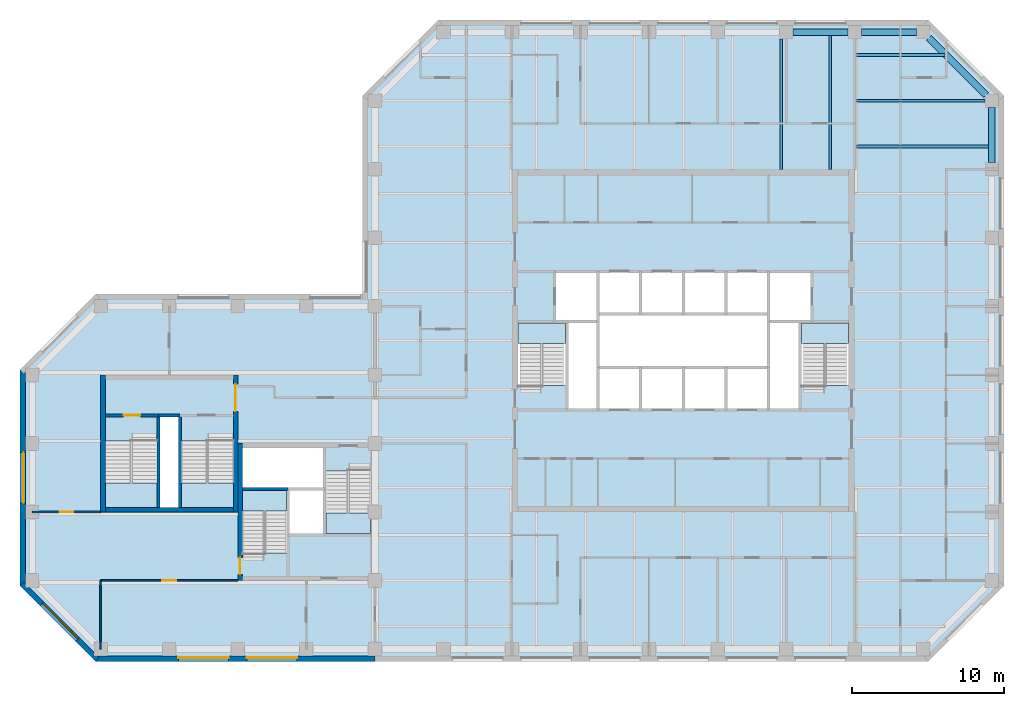
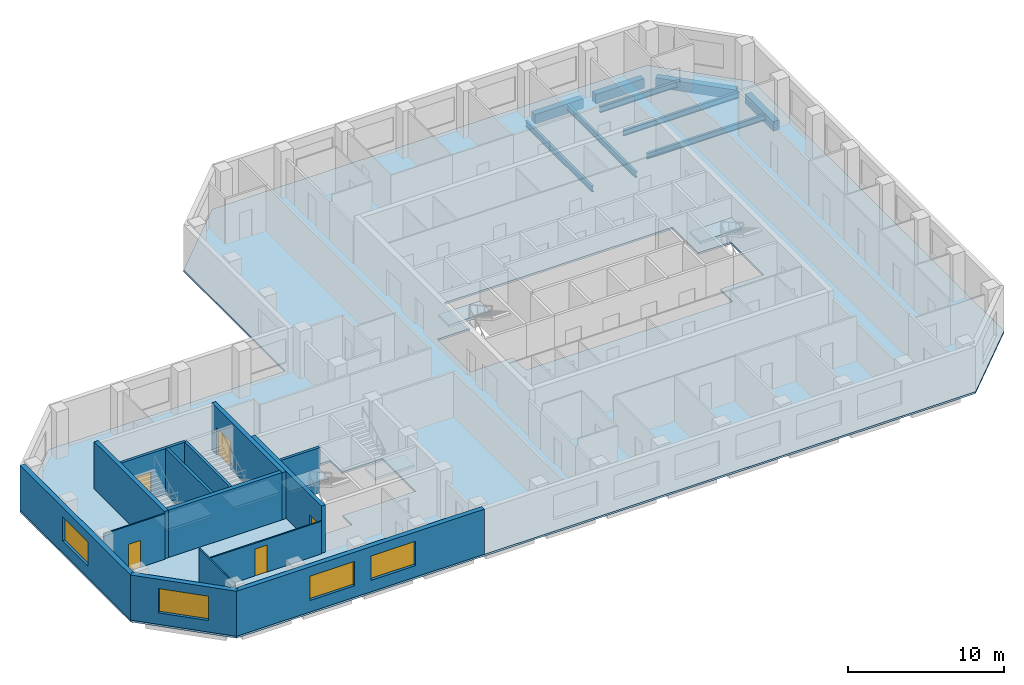
# One storey, part 2 of 9: 15 walls, 9 beams, 7 slabs, 5 doors, 4 windows, 9 openings, 6 elements without a shape of their own.
"""IFC4 building model written with IfcOpenShell, lengths in metres."""

from ifc_helpers import new_model, si_unit, direction, frame, frame_2d, origin, origin_2d, place, context, subcontext, project, spatial, polyline, rectangle, i_section, outline, extrude, material, layer, layer_set, constituent, constituent_set, material_profile, profile_set, type_object, element, fill, aggregate, save


model = new_model("IFC4")

# Units and contexts
model_context = context("Model", 3, precision=1e-05, world=origin(), true_north=direction((0.0, 1.0)))
body_context = subcontext(model_context, "Body", "Model", "MODEL_VIEW")
ifc_project = project(units=[si_unit("LENGTHUNIT", "METRE"), si_unit("AREAUNIT", "SQUARE_METRE"), si_unit("VOLUMEUNIT", "CUBIC_METRE"), si_unit("PLANEANGLEUNIT", "RADIAN"), si_unit("MASSUNIT", "GRAM", prefix="KILO")], contexts=[model_context])

# Site, building, storey
site_placement = place(None, origin())
site = spatial("IfcSite", under=ifc_project, at=site_placement, CompositionType="ELEMENT")
building_placement = place(site_placement, origin())
building = spatial("IfcBuilding", under=site, at=building_placement, Name="Quoin Convention Tower", CompositionType="ELEMENT")
storey_placement = place(building_placement, frame((0.0, 0.0, 147.699951171875)))
storey = spatial("IfcBuildingStorey", under=building, at=storey_placement, Name="L38", CompositionType="ELEMENT", Elevation=147.699951171875)

# Beams
ifc_material_1 = material(Name="Steel Grade 300", Category="steel")
ifc_material_profile_1 = material_profile(ifc_material_1, i_section(OverallWidth=0.18994140625, OverallDepth=0.4541015625, WebThickness=0.008544921875, FlangeThickness=0.0126953125, FilletRadius=0.011474609375, at=origin_2d()), Name="460UB67.1")
ifc_profile_set_1 = profile_set([ifc_material_profile_1], Name="Steel Grade 300")
beam_type_1 = type_object("IfcBeamType", Name="460UB67.1", PredefinedType="BEAM", material=ifc_profile_set_1)
beam_1_placement = place(storey_placement, frame((62.6787109375, 72.0, -0.376953125), z_axis=(0.0, 1.0, 0.0), x_axis=(-1.0, 0.0, 0.0)))
element("IfcBeam", 1, at=beam_1_placement, inside=storey, type_object=beam_type_1, Name="bm-L38-T1N5", PredefinedType="BEAM", context=body_context, shape_type="SweptSolid", body=[
    extrude(i_section(OverallWidth=0.18994140625, OverallDepth=0.4541015625, WebThickness=0.008544921875, FlangeThickness=0.0126953125, FilletRadius=0.011474609375, at=origin_2d()), origin(), (0.0, 0.0, 1.0), 8.550048828125),
])
beam_2_placement = place(storey_placement, frame((65.892822265625, 72.0, -0.376953125), z_axis=(0.0, 1.0, 0.0), x_axis=(-1.0, 0.0, 0.0)))
element("IfcBeam", 2, at=beam_2_placement, inside=storey, type_object=beam_type_1, Name="bm-L38-T1N6", PredefinedType="BEAM", context=body_context, shape_type="SweptSolid", body=[
    extrude(i_section(OverallWidth=0.18994140625, OverallDepth=0.4541015625, WebThickness=0.008544921875, FlangeThickness=0.0126953125, FilletRadius=0.011474609375, at=origin_2d()), origin(), (0.0, 0.0, 1.0), 8.77490234375),
])
beam_3_placement = place(storey_placement, frame((67.5, 79.5, -0.376953125), z_axis=(1.0, 0.0, 0.0), x_axis=(0.0, 1.0, 0.0)))
element("IfcBeam", 3, at=beam_3_placement, inside=storey, type_object=beam_type_1, Name="bm-L38-T1NE0", PredefinedType="BEAM", context=body_context, shape_type="SweptSolid", body=[
    extrude(i_section(OverallWidth=0.18994140625, OverallDepth=0.4541015625, WebThickness=0.008544921875, FlangeThickness=0.0126953125, FilletRadius=0.011474609375, at=origin_2d()), origin(), (0.0, 0.0, 1.0), 5.935791015625),
])
beam_4_placement = place(storey_placement, frame((67.5, 76.5, -0.376953125), z_axis=(1.0, 0.0, 0.0), x_axis=(0.0, 1.0, 0.0)))
element("IfcBeam", 4, at=beam_4_placement, inside=storey, type_object=beam_type_1, Name="bm-L38-T1NE1", PredefinedType="BEAM", context=body_context, shape_type="SweptSolid", body=[
    extrude(i_section(OverallWidth=0.18994140625, OverallDepth=0.4541015625, WebThickness=0.008544921875, FlangeThickness=0.0126953125, FilletRadius=0.011474609375, at=origin_2d()), origin(), (0.0, 0.0, 1.0), 8.550048828125),
])
beam_5_placement = place(storey_placement, frame((67.5, 73.5, -0.376953125), z_axis=(1.0, 0.0, 0.0), x_axis=(0.0, 1.0, 0.0)))
element("IfcBeam", 5, at=beam_5_placement, inside=storey, type_object=beam_type_1, Name="bm-L38-T1NE2", PredefinedType="BEAM", context=body_context, shape_type="SweptSolid", body=[
    extrude(i_section(OverallWidth=0.18994140625, OverallDepth=0.4541015625, WebThickness=0.008544921875, FlangeThickness=0.0126953125, FilletRadius=0.011474609375, at=origin_2d()), origin(), (0.0, 0.0, 1.0), 8.77490234375),
])
ifc_material_2 = material(Name="Concrete C50", Category="concrete")
ifc_material_profile_2 = material_profile(ifc_material_2, rectangle(XDim=0.449951171875, YDim=0.75, at=origin_2d()), Name="RC 450x750")
ifc_profile_set_2 = profile_set([ifc_material_profile_2], Name="Concrete C50")
beam_type_2 = type_object("IfcBeamType", Name="RC 450x750 C50", PredefinedType="SPANDREL", material=ifc_profile_set_2)
beam_6_placement = place(storey_placement, frame((76.5, 72.449951171875, -0.52490234375), z_axis=(0.0, 1.0, 0.0), x_axis=(-1.0, 0.0, 0.0)))
element("IfcBeam", 6, at=beam_6_placement, inside=storey, type_object=beam_type_2, Name="spd-L38-76500_72000-76500_76500", PredefinedType="SPANDREL", context=body_context, shape_type="SweptSolid", body=[
    extrude(rectangle(XDim=0.449951171875, YDim=0.75, at=origin_2d()), origin(), (0.0, 0.0, 1.0), 3.60009765625),
])
beam_7_placement = place(storey_placement, frame((76.135009765625, 76.864990234375, -0.52490234375), z_axis=(-0.707106781187, 0.707106781187, 0.0), x_axis=(-0.707106781187, -0.707106781187, 0.0)))
element("IfcBeam", 7, at=beam_7_placement, inside=storey, type_object=beam_type_2, Name="spd-L38-76500_76500-72000_81000", PredefinedType="SPANDREL", context=body_context, shape_type="SweptSolid", body=[
    extrude(rectangle(XDim=0.449951171875, YDim=0.75, at=origin_2d()), origin(), (0.0, 0.0, 1.0), 5.33154296875),
])
for number, where, z_axis, x_axis, name in (
    (8, (71.550048828125, 81.0, -0.52490234375), (-1.0, 0.0, 0.0), (0.0, -1.0, 0.0), "spd-L38-72000_81000-67500_81000"),
    (9, (67.050048828125, 81.0, -0.52490234375), (-1.0, 0.0, 0.0), (0.0, -1.0, 0.0), "spd-L38-67500_81000-63000_81000"),
):
    element("IfcBeam", number, at=place(storey_placement, frame(where, z_axis=z_axis, x_axis=x_axis)), inside=storey, type_object=beam_type_2, Name=name, PredefinedType="SPANDREL", context=body_context, shape_type="SweptSolid", body=[
        extrude(rectangle(XDim=0.449951171875, YDim=0.75, at=origin_2d()), origin(), (0.0, 0.0, 1.0), 3.60009765625),
    ])

# Slab
ifc_material_3 = material(Name="Concrete C40", Category="concrete")
ifc_layer_1 = layer(ifc_material_3, 0.14990234375)
ifc_layer_set_1 = layer_set([ifc_layer_1], Name="Concrete C40")
slab_type_1 = type_object("IfcSlabType", Name="COMPOSITE SLAB 150 C40", PredefinedType="FLOOR", material=ifc_layer_set_1)
slab_1_placement = place(storey_placement, frame((0.0, 0.0, -0.14990234375)))
element("IfcSlab", 10, at=slab_1_placement, inside=storey, type_object=slab_type_1, Name="slb-L38", PredefinedType="FLOOR", context=body_context, shape_type="SweptSolid", body=[
    extrude(outline(polyline([(17.668701171875, 39.699951171875), (12.699951171875, 44.668701171875), (12.699951171875, 58.831298828125), (17.668701171875, 63.800048828125), (35.199951171875, 63.800048828125), (35.199951171875, 76.831298828125), (40.168701171875, 81.800048828125), (72.331298828125, 81.800048828125), (77.300048828125, 76.831298828125), (77.300048828125, 44.668701171875), (72.331298828125, 39.699951171875), (17.668701171875, 39.699951171875)]), holes=[polyline([(27.300048828125, 51.0), (27.300048828125, 46.800537109375), (30.300048828125, 46.800537109375), (30.300048828125, 48.0), (32.699951171875, 48.0), (35.699951171875, 48.0), (35.699951171875, 52.199462890625), (32.699951171875, 52.199462890625), (32.699951171875, 53.699951171875), (27.300048828125, 53.699951171875), (27.300048828125, 51.0)]), polyline([(18.300048828125, 49.800048828125), (21.800048828125, 49.800048828125), (23.199951171875, 49.800048828125), (26.699951171875, 49.800048828125), (26.699951171875, 54.1494140625), (23.199951171875, 54.1494140625), (23.199951171875, 55.85009765625), (21.800048828125, 55.85009765625), (21.800048828125, 54.1494140625), (18.300048828125, 54.1494140625), (18.300048828125, 49.800048828125)]), polyline([(48.60009765625, 56.199951171875), (50.64990234375, 56.199951171875), (53.449951171875, 56.199951171875), (56.25, 56.199951171875), (59.050048828125, 56.199951171875), (61.85009765625, 56.199951171875), (63.89990234375, 56.199951171875), (63.89990234375, 57.800537109375), (67.10009765625, 57.800537109375), (67.10009765625, 62.0), (64.699951171875, 62.0), (64.699951171875, 65.300048828125), (61.85009765625, 65.300048828125), (59.050048828125, 65.300048828125), (56.25, 65.300048828125), (53.449951171875, 65.300048828125), (50.64990234375, 65.300048828125), (47.800048828125, 65.300048828125), (47.800048828125, 62.0), (45.39990234375, 62.0), (45.39990234375, 57.800537109375), (48.60009765625, 57.800537109375), (48.60009765625, 56.199951171875)])]), origin(), (0.0, 0.0, 1.0), 0.14990234375),
])

# Stair, slab
stair_type_1 = type_object("IfcStairType", Name="Exit stair two-flight 1350", PredefinedType="HALF_TURN_STAIR", material=ifc_material_3)
stair_1_placement = place(storey_placement, origin())
stair_1 = element("IfcStair", 11, at=stair_1_placement, inside=storey, type_object=stair_type_1, Name="SD1 L38", PredefinedType="HALF_TURN_STAIR")
ifc_layer_2 = layer(ifc_material_3, 0.199951171875)
ifc_layer_set_2 = layer_set([ifc_layer_2], Name="Concrete C40")
slab_type_2 = type_object("IfcSlabType", Name="Stair landing 200", PredefinedType="LANDING", material=ifc_layer_set_2)
slab_2_placement = place(storey_placement, frame((0.0, 0.0, 1.792236328125)))
slab_2 = element("IfcSlab", 12, at=slab_2_placement, type_object=slab_type_2, Name="ST1 landing 1", PredefinedType="LANDING", context=body_context, shape_type="SweptSolid", body=[
    extrude(outline(polyline([(45.39990234375, 60.550048828125), (48.5, 60.550048828125), (48.5, 61.89990234375), (45.39990234375, 61.89990234375), (45.39990234375, 60.550048828125)])), origin(), (0.0, 0.0, 1.0), 0.2001953125),
])
aggregate(stair_1, [slab_2])

stair_2_placement = place(storey_placement, origin())
stair_2 = element("IfcStair", 13, at=stair_2_placement, inside=storey, type_object=stair_type_1, Name="SD2 L38", PredefinedType="HALF_TURN_STAIR")
slab_3_placement = place(storey_placement, frame((0.0, 0.0, 1.792236328125)))
slab_3 = element("IfcSlab", 14, at=slab_3_placement, type_object=slab_type_2, Name="ST2 landing 1", PredefinedType="LANDING", context=body_context, shape_type="SweptSolid", body=[
    extrude(outline(polyline([(64.0, 60.550048828125), (67.10009765625, 60.550048828125), (67.10009765625, 61.89990234375), (64.0, 61.89990234375), (64.0, 60.550048828125)])), origin(), (0.0, 0.0, 1.0), 0.2001953125),
])
aggregate(stair_2, [slab_3])

stair_3_placement = place(storey_placement, origin())
stair_3 = element("IfcStair", 15, at=stair_3_placement, inside=storey, type_object=stair_type_1, Name="SD3 L38", PredefinedType="HALF_TURN_STAIR")
slab_4_placement = place(storey_placement, frame((0.0, 0.0, 1.792236328125)))
slab_4 = element("IfcSlab", 16, at=slab_4_placement, type_object=slab_type_2, Name="ST3 landing 1", PredefinedType="LANDING", context=body_context, shape_type="SweptSolid", body=[
    extrude(outline(polyline([(27.300048828125, 49.550048828125), (30.199951171875, 49.550048828125), (30.199951171875, 50.89990234375), (27.300048828125, 50.89990234375), (27.300048828125, 49.550048828125)])), origin(), (0.0, 0.0, 1.0), 0.2001953125),
])
aggregate(stair_3, [slab_4])

stair_4_placement = place(storey_placement, origin())
stair_4 = element("IfcStair", 17, at=stair_4_placement, inside=storey, type_object=stair_type_1, Name="SD4 L38", PredefinedType="HALF_TURN_STAIR")
slab_5_placement = place(storey_placement, frame((0.0, 0.0, 1.792236328125)))
slab_5 = element("IfcSlab", 18, at=slab_5_placement, type_object=slab_type_2, Name="ST4 landing 1", PredefinedType="LANDING", context=body_context, shape_type="SweptSolid", body=[
    extrude(outline(polyline([(35.699951171875, 49.449951171875), (32.800048828125, 49.449951171875), (32.800048828125, 48.10009765625), (35.699951171875, 48.10009765625), (35.699951171875, 49.449951171875)])), origin(), (0.0, 0.0, 1.0), 0.2001953125),
])
aggregate(stair_4, [slab_5])

stair_type_2 = type_object("IfcStairType", Name="Exit stair two-flight 1600", PredefinedType="HALF_TURN_STAIR", material=ifc_material_3)
stair_5_placement = place(storey_placement, origin())
stair_5 = element("IfcStair", 19, at=stair_5_placement, inside=storey, type_object=stair_type_2, Name="SD11 L38", PredefinedType="HALF_TURN_STAIR")
slab_6_placement = place(storey_placement, frame((0.0, 0.0, 1.792236328125)))
slab_6 = element("IfcSlab", 20, at=slab_6_placement, type_object=slab_type_2, Name="ST11 landing 1", PredefinedType="LANDING", context=body_context, shape_type="SweptSolid", body=[
    extrude(outline(polyline([(21.699951171875, 51.39990234375), (18.300048828125, 51.39990234375), (18.300048828125, 49.800048828125), (21.699951171875, 49.800048828125), (21.699951171875, 51.39990234375)])), origin(), (0.0, 0.0, 1.0), 0.2001953125),
])
aggregate(stair_5, [slab_6])

stair_6_placement = place(storey_placement, origin())
stair_6 = element("IfcStair", 21, at=stair_6_placement, inside=storey, type_object=stair_type_2, Name="SD12 L38", PredefinedType="HALF_TURN_STAIR")
slab_7_placement = place(storey_placement, frame((0.0, 0.0, 1.792236328125)))
slab_7 = element("IfcSlab", 22, at=slab_7_placement, type_object=slab_type_2, Name="ST12 landing 1", PredefinedType="LANDING", context=body_context, shape_type="SweptSolid", body=[
    extrude(outline(polyline([(26.699951171875, 51.39990234375), (23.300048828125, 51.39990234375), (23.300048828125, 49.800048828125), (26.699951171875, 49.800048828125), (26.699951171875, 51.39990234375)])), origin(), (0.0, 0.0, 1.0), 0.2001953125),
])
aggregate(stair_6, [slab_7])

# Wall, opening, window
ifc_material_4 = material(Name="Brick masonry", Category="masonry")
ifc_layer_3 = layer(ifc_material_4, 0.35009765625)
ifc_layer_set_3 = layer_set([ifc_layer_3], Name="Brick masonry")
wall_type_1 = type_object("IfcWallType", Name="Brick facade wall", PredefinedType="STANDARD", material=ifc_layer_set_3)
wall_1_placement = place(storey_placement, frame((12.875, 58.831298828125, 0.0), z_axis=(0.0, 0.0, 1.0), x_axis=(0.0, -1.0, 0.0)))
wall_1 = element("IfcWall", 23, at=wall_1_placement, inside=storey, type_object=wall_type_1, Name="fw-L38-13500_58500", PredefinedType="STANDARD", context=body_context, shape_type="SweptSolid", body=[
    extrude(rectangle(XDim=14.16259765625, YDim=0.35009765625, at=frame_2d((7.081298828125, 0.0))), origin(), (0.0, 0.0, 1.0), 3.525146484375),
])
opening_1_placement = place(wall_1_placement, frame((5.431396484375, 0.0, 0.89990234375)))
opening_1 = element("IfcOpeningElement", 24, at=opening_1_placement, cuts=wall_1, Name="Opening W-02", PredefinedType="OPENING", context=body_context, shape_type="SweptSolid", body=[
    extrude(rectangle(XDim=3.300048828125, YDim=1.89990234375, at=frame_2d((1.64990234375, 0.949951171875))), frame((0.0, 0.18505859375, 0.0), z_axis=(0.0, -1.0, 0.0), x_axis=(1.0, 0.0, 0.0)), (0.0, 0.0, 1.0), 0.3701171875),
])
ifc_material_5 = material(Name="Aluminium", Category="aluminium")
ifc_constituent_1 = constituent(ifc_material_5, Name="Frame")
ifc_material_6 = material(Name="Insulated glass", Category="glass")
ifc_constituent_2 = constituent(ifc_material_6, Name="Glazing")
ifc_constituent_set = constituent_set(constituents=[ifc_constituent_1, ifc_constituent_2], Name="Aluminium")
window_type = type_object("IfcWindowType", Name="Office window", PartitioningType="DOUBLE_PANEL_VERTICAL", PredefinedType="WINDOW", material=ifc_constituent_set)
window_1_placement = place(opening_1_placement, origin())
window_1 = element("IfcWindow", 25, at=window_1_placement, inside=storey, type_object=window_type, Name="win-L38-12875_51750", OverallHeight=1.89990234375, OverallWidth=3.300048828125, PartitioningType="SINGLE_PANEL", PredefinedType="WINDOW", context=body_context, shape_type="SweptSolid", body=[
    extrude(rectangle(XDim=3.300048828125, YDim=1.89990234375, at=frame_2d((1.64990234375, 0.949951171875))), frame((0.0, 0.0849609375, 0.0), z_axis=(0.0, -1.0, 0.0), x_axis=(1.0, 0.0, 0.0)), (0.0, 0.0, 1.0), 0.06005859375),
])
fill(opening_1, window_1)

wall_2_placement = place(storey_placement, frame((12.82373046875, 44.79248046875, 0.0), z_axis=(0.0, 0.0, 1.0), x_axis=(0.707106781187, -0.707106781187, 0.0)))
wall_2 = element("IfcWall", 26, at=wall_2_placement, inside=storey, type_object=wall_type_1, Name="fw-L38-13500_45000", PredefinedType="STANDARD", context=body_context, shape_type="SweptSolid", body=[
    extrude(rectangle(XDim=7.02685546875, YDim=0.35009765625, at=frame_2d((3.513427734375, 0.0))), origin(), (0.0, 0.0, 1.0), 3.525146484375),
])
opening_2_placement = place(wall_2_placement, frame((1.86328125, 0.0, 0.89990234375)))
opening_2 = element("IfcOpeningElement", 27, at=opening_2_placement, cuts=wall_2, Name="Opening W-02", PredefinedType="OPENING", context=body_context, shape_type="SweptSolid", body=[
    extrude(rectangle(XDim=3.300048828125, YDim=1.89990234375, at=frame_2d((1.64990234375, 0.949951171875))), frame((0.0, 0.18505859375, 0.0), z_axis=(0.0, -1.0, 0.0), x_axis=(1.0, 0.0, 0.0)), (0.0, 0.0, 1.0), 0.3701171875),
])
window_2_placement = place(opening_2_placement, origin())
window_2 = element("IfcWindow", 28, at=window_2_placement, inside=storey, type_object=window_type, Name="win-L38-15308_42308", OverallHeight=1.89990234375, OverallWidth=3.300048828125, PartitioningType="SINGLE_PANEL", PredefinedType="WINDOW", context=body_context, shape_type="SweptSolid", body=[
    extrude(rectangle(XDim=3.300048828125, YDim=1.89990234375, at=frame_2d((1.64990234375, 0.949951171875))), frame((0.0, 0.0849609375, 0.0), z_axis=(0.0, -1.0, 0.0), x_axis=(1.0, 0.0, 0.0)), (0.0, 0.0, 1.0), 0.06005859375),
])
fill(opening_2, window_2)

# Wall, openings, windows
wall_3_placement = place(storey_placement, frame((17.668701171875, 39.875, 0.0), z_axis=(0.0, 0.0, 1.0), x_axis=(1.0, 0.0, 0.0)))
wall_3 = element("IfcWall", 29, at=wall_3_placement, inside=storey, type_object=wall_type_1, Name="fw-L38-18000_40500", PredefinedType="STANDARD", context=body_context, shape_type="SweptSolid", body=[
    extrude(rectangle(XDim=18.331298828125, YDim=0.35009765625, at=frame_2d((9.16552734375, 0.0))), origin(), (0.0, 0.0, 1.0), 3.525146484375),
])
opening_3_placement = place(wall_3_placement, frame((5.431396484375, 0.0, 0.89990234375)))
opening_3 = element("IfcOpeningElement", 30, at=opening_3_placement, cuts=wall_3, Name="Opening W-02", PredefinedType="OPENING", context=body_context, shape_type="SweptSolid", body=[
    extrude(rectangle(XDim=3.300048828125, YDim=1.89990234375, at=frame_2d((1.64990234375, 0.949951171875))), frame((0.0, 0.18505859375, 0.0), z_axis=(0.0, -1.0, 0.0), x_axis=(1.0, 0.0, 0.0)), (0.0, 0.0, 1.0), 0.3701171875),
])
opening_4_placement = place(wall_3_placement, frame((9.931396484375, 0.0, 0.89990234375)))
opening_4 = element("IfcOpeningElement", 31, at=opening_4_placement, cuts=wall_3, Name="Opening W-02", PredefinedType="OPENING", context=body_context, shape_type="SweptSolid", body=[
    extrude(rectangle(XDim=3.300048828125, YDim=1.89990234375, at=frame_2d((1.64990234375, 0.949951171875))), frame((0.0, 0.18505859375, 0.0), z_axis=(0.0, -1.0, 0.0), x_axis=(1.0, 0.0, 0.0)), (0.0, 0.0, 1.0), 0.3701171875),
])
window_3_placement = place(opening_3_placement, origin())
window_3 = element("IfcWindow", 32, at=window_3_placement, inside=storey, type_object=window_type, Name="win-L38-24750_39875", OverallHeight=1.89990234375, OverallWidth=3.300048828125, PartitioningType="SINGLE_PANEL", PredefinedType="WINDOW", context=body_context, shape_type="SweptSolid", body=[
    extrude(rectangle(XDim=3.300048828125, YDim=1.89990234375, at=frame_2d((1.64990234375, 0.949951171875))), frame((0.0, 0.0849609375, 0.0), z_axis=(0.0, -1.0, 0.0), x_axis=(1.0, 0.0, 0.0)), (0.0, 0.0, 1.0), 0.06005859375),
])
fill(opening_3, window_3)
window_4_placement = place(opening_4_placement, origin())
window_4 = element("IfcWindow", 33, at=window_4_placement, inside=storey, type_object=window_type, Name="win-L38-29250_39875", OverallHeight=1.89990234375, OverallWidth=3.300048828125, PartitioningType="SINGLE_PANEL", PredefinedType="WINDOW", context=body_context, shape_type="SweptSolid", body=[
    extrude(rectangle(XDim=3.300048828125, YDim=1.89990234375, at=frame_2d((1.64990234375, 0.949951171875))), frame((0.0, 0.0849609375, 0.0), z_axis=(0.0, -1.0, 0.0), x_axis=(1.0, 0.0, 0.0)), (0.0, 0.0, 1.0), 0.06005859375),
])
fill(opening_4, window_4)

# Walls
ifc_layer_4 = layer(ifc_material_2, 0.199951171875)
ifc_layer_set_4 = layer_set([ifc_layer_4], Name="Concrete C50")
wall_type_2 = type_object("IfcWallType", Name="Core shaft wall", PredefinedType="SOLIDWALL", material=ifc_layer_set_4)
wall_4_placement = place(storey_placement, frame((27.300048828125, 51.0, 0.0), z_axis=(0.0, 0.0, 1.0), x_axis=(1.0, 0.0, 0.0)))
element("IfcWall", 34, at=wall_4_placement, inside=storey, type_object=wall_type_2, Name="cr-P2-L38-h6000_300", PredefinedType="SOLIDWALL", context=body_context, shape_type="SweptSolid", body=[
    extrude(rectangle(XDim=3.0, YDim=0.199951171875, at=frame_2d((1.5, 0.0))), origin(), (0.0, 0.0, 1.0), 3.550048828125),
])
wall_5_placement = place(storey_placement, frame((21.800048828125, 55.85009765625, 0.0), z_axis=(0.0, 0.0, 1.0), x_axis=(1.0, 0.0, 0.0)))
element("IfcWall", 35, at=wall_5_placement, inside=storey, type_object=wall_type_2, Name="cr-P6-L38-h6350_3800", PredefinedType="SOLIDWALL", context=body_context, shape_type="SweptSolid", body=[
    extrude(rectangle(XDim=1.39990234375, YDim=0.199951171875, at=frame_2d((0.699951171875, 0.0))), origin(), (0.0, 0.0, 1.0), 3.550048828125),
])

# Wall, opening, door
wall_6_placement = place(storey_placement, frame((18.300048828125, 55.85009765625, 0.0), z_axis=(0.0, 0.0, 1.0), x_axis=(1.0, 0.0, 0.0)))
wall_6 = element("IfcWall", 36, at=wall_6_placement, inside=storey, type_object=wall_type_2, Name="cr-P6-L38-h6350_300", PredefinedType="SOLIDWALL", context=body_context, shape_type="SweptSolid", body=[
    extrude(rectangle(XDim=3.5, YDim=0.199951171875, at=frame_2d((1.75, 0.0))), origin(), (0.0, 0.0, 1.0), 3.550048828125),
])
opening_5_placement = place(wall_6_placement, frame((1.199951171875, 0.0, 0.0)))
opening_5 = element("IfcOpeningElement", 37, at=opening_5_placement, cuts=wall_6, Name="Opening SD11", PredefinedType="OPENING", context=body_context, shape_type="SweptSolid", body=[
    extrude(rectangle(XDim=1.10009765625, YDim=2.10009765625, at=frame_2d((0.550048828125, 1.050048828125))), frame((0.0, 0.10986328125, 0.0), z_axis=(0.0, -1.0, 0.0), x_axis=(1.0, 0.0, 0.0)), (0.0, 0.0, 1.0), 0.219970703125),
])
ifc_material_7 = material(Name="Steel door leaf", Category="steel")
door_type_1 = type_object("IfcDoorType", Name="Stair door 1100 x 2100", OperationType="SINGLE_SWING_RIGHT", PredefinedType="DOOR", material=ifc_material_7)
door_1_placement = place(opening_5_placement, origin())
door_1 = element("IfcDoor", 38, at=door_1_placement, inside=storey, type_object=door_type_1, Name="cd-P6-L38-SA-R2-SD11", OperationType="SINGLE_SWING_RIGHT", OverallHeight=2.10009765625, OverallWidth=1.10009765625, PredefinedType="DOOR", context=body_context, shape_type="SweptSolid", body=[
    extrude(rectangle(XDim=1.10009765625, YDim=2.10009765625, at=frame_2d((0.550048828125, 1.050048828125))), frame((0.0, 0.02490234375, 0.0), z_axis=(0.0, -1.0, 0.0), x_axis=(1.0, 0.0, 0.0)), (0.0, 0.0, 1.0), 0.050048828125),
])
fill(opening_5, door_1)

# Walls
for number, where, z_axis, x_axis, name in (
    (39, (21.800048828125, 49.800048828125, 0.0), (0.0, 0.0, 1.0), (0.0, 1.0, 0.0), "cr-P6-L38-v3800_300"),
    (40, (23.199951171875, 49.800048828125, 0.0), (0.0, 0.0, 1.0), (0.0, 1.0, 0.0), "cr-P6-L38-v5200_300"),
):
    element("IfcWall", number, at=place(storey_placement, frame(where, z_axis=z_axis, x_axis=x_axis)), inside=storey, type_object=wall_type_2, Name=name, PredefinedType="SOLIDWALL", context=body_context, shape_type="SweptSolid", body=[
        extrude(rectangle(XDim=6.050048828125, YDim=0.199951171875, at=frame_2d((3.02490234375, 0.0))), origin(), (0.0, 0.0, 1.0), 3.550048828125),
    ])

# Wall, opening, door
ifc_layer_5 = layer(ifc_material_2, 0.300048828125)
ifc_layer_set_5 = layer_set([ifc_layer_5], Name="Concrete C50")
wall_type_3 = type_object("IfcWallType", Name="RC CORE WALL 300 C50", PredefinedType="SHEAR", material=ifc_layer_set_5)
wall_7_placement = place(storey_placement, frame((27.14990234375, 45.0, 0.0), z_axis=(0.0, 0.0, 1.0), x_axis=(0.0, 1.0, 0.0)))
wall_7 = element("IfcWall", 41, at=wall_7_placement, inside=storey, type_object=wall_type_3, Name="cwl-P2-L38-W", PredefinedType="SHEAR", context=body_context, shape_type="SweptSolid", body=[
    extrude(rectangle(XDim=9.0, YDim=0.300048828125, at=frame_2d((4.5, 0.0))), origin(), (0.0, 0.0, 1.0), 3.699951171875),
])
opening_6_placement = place(wall_7_placement, frame((0.39990234375, 0.0, 0.0)))
opening_6 = element("IfcOpeningElement", 42, at=opening_6_placement, cuts=wall_7, Name="Opening SD3", PredefinedType="OPENING", context=body_context, shape_type="SweptSolid", body=[
    extrude(rectangle(XDim=1.10009765625, YDim=2.10009765625, at=frame_2d((0.550048828125, 1.050048828125))), frame((0.0, 0.159912109375, 0.0), z_axis=(0.0, -1.0, 0.0), x_axis=(1.0, 0.0, 0.0)), (0.0, 0.0, 1.0), 0.320068359375),
])
door_2_placement = place(opening_6_placement, frame((1.10009765625, 0.0, 0.0), z_axis=(0.0, 0.0, 1.0), x_axis=(-1.0, 0.0, 0.0)))
door_2 = element("IfcDoor", 43, at=door_2_placement, inside=storey, type_object=door_type_1, Name="cd-P2-L38-SA-W", OperationType="SINGLE_SWING_RIGHT", OverallHeight=2.10009765625, OverallWidth=1.10009765625, PredefinedType="DOOR", context=body_context, shape_type="SweptSolid", body=[
    extrude(rectangle(XDim=1.10009765625, YDim=2.10009765625, at=frame_2d((0.550048828125, 1.050048828125))), frame((0.0, 0.02490234375, 0.0), z_axis=(0.0, -1.0, 0.0), x_axis=(1.0, 0.0, 0.0)), (0.0, 0.0, 1.0), 0.050048828125),
])
fill(opening_6, door_2)

# Walls
wall_8_placement = place(storey_placement, frame((18.300048828125, 49.64990234375, 0.0), z_axis=(0.0, 0.0, 1.0), x_axis=(1.0, 0.0, 0.0)))
element("IfcWall", 44, at=wall_8_placement, inside=storey, type_object=wall_type_3, Name="cwl-P6-L38-S", PredefinedType="SHEAR", context=body_context, shape_type="SweptSolid", body=[
    extrude(rectangle(XDim=8.39990234375, YDim=0.300048828125, at=frame_2d((4.199951171875, 0.0))), origin(), (0.0, 0.0, 1.0), 3.699951171875),
])
wall_9_placement = place(storey_placement, frame((18.14990234375, 49.5, 0.0), z_axis=(0.0, 0.0, 1.0), x_axis=(0.0, 1.0, 0.0)))
element("IfcWall", 45, at=wall_9_placement, inside=storey, type_object=wall_type_3, Name="cwl-P6-L38-W", PredefinedType="SHEAR", context=body_context, shape_type="SweptSolid", body=[
    extrude(rectangle(XDim=9.0, YDim=0.300048828125, at=frame_2d((4.5, 0.0))), origin(), (0.0, 0.0, 1.0), 3.699951171875),
])

# Wall, opening, door
wall_10_placement = place(storey_placement, frame((26.85009765625, 49.5, 0.0), z_axis=(0.0, 0.0, 1.0), x_axis=(0.0, 1.0, 0.0)))
wall_10 = element("IfcWall", 46, at=wall_10_placement, inside=storey, type_object=wall_type_3, Name="cwl-P6-L38-E", PredefinedType="SHEAR", context=body_context, shape_type="SweptSolid", body=[
    extrude(rectangle(XDim=9.0, YDim=0.300048828125, at=frame_2d((4.5, 0.0))), origin(), (0.0, 0.0, 1.0), 3.699951171875),
])
opening_7_placement = place(wall_10_placement, frame((6.60009765625, 0.0, 0.0)))
opening_7 = element("IfcOpeningElement", 47, at=opening_7_placement, cuts=wall_10, Name="Opening DCV1-54", PredefinedType="OPENING", context=body_context, shape_type="SweptSolid", body=[
    extrude(rectangle(XDim=1.800048828125, YDim=2.10009765625, at=frame_2d((0.89990234375, 1.050048828125))), frame((0.0, 0.159912109375, 0.0), z_axis=(0.0, -1.0, 0.0), x_axis=(1.0, 0.0, 0.0)), (0.0, 0.0, 1.0), 0.320068359375),
])
door_type_2 = type_object("IfcDoorType", Name="Goods lobby door 1800 x 2100", OperationType="SINGLE_SWING_LEFT", PredefinedType="DOOR", material=ifc_material_7)
door_3_placement = place(opening_7_placement, origin())
door_3 = element("IfcDoor", 48, at=door_3_placement, inside=storey, type_object=door_type_2, Name="cd-P6-L38-R2-E", OperationType="SINGLE_SWING_LEFT", OverallHeight=2.10009765625, OverallWidth=1.800048828125, PredefinedType="DOOR", context=body_context, shape_type="SweptSolid", body=[
    extrude(rectangle(XDim=1.800048828125, YDim=2.10009765625, at=frame_2d((0.89990234375, 1.050048828125))), frame((0.0, 0.02490234375, 0.0), z_axis=(0.0, -1.0, 0.0), x_axis=(1.0, 0.0, 0.0)), (0.0, 0.0, 1.0), 0.050048828125),
])
fill(opening_7, door_3)

ifc_material_8 = material(Name="Plasterboard")
ifc_layer_6 = layer(ifc_material_8, 0.012451171875, Name="Finish")
ifc_material_9 = material(Name="Steel stud framing", Category="steel")
ifc_layer_7 = layer(ifc_material_9, 0.074951171875, Name="Structure")
ifc_layer_8 = layer(ifc_material_8, 0.012451171875, Name="Finish")
ifc_layer_set_6 = layer_set([ifc_layer_6, ifc_layer_7, ifc_layer_8], Name="Steel stud framing")
wall_type_4 = type_object("IfcWallType", Name="Stud partition 100", PredefinedType="PARTITIONING", material=ifc_layer_set_6)
wall_11_placement = place(storey_placement, frame((13.5, 49.5, 0.0), z_axis=(0.0, 0.0, 1.0), x_axis=(1.0, 0.0, 0.0)))
wall_11 = element("IfcWall", 49, at=wall_11_placement, inside=storey, type_object=wall_type_4, Name="pw-L38-w02", PredefinedType="PARTITIONING", context=body_context, shape_type="SweptSolid", body=[
    extrude(rectangle(XDim=4.5, YDim=0.10009765625, at=frame_2d((2.25, 0.0))), origin(), (0.0, 0.0, 1.0), 3.550048828125),
])
opening_8_placement = place(wall_11_placement, frame((1.800048828125, 0.0, 0.0)))
opening_8 = element("IfcOpeningElement", 50, at=opening_8_placement, cuts=wall_11, Name="Opening DOH1-28", PredefinedType="OPENING", context=body_context, shape_type="SweptSolid", body=[
    extrude(rectangle(XDim=0.89990234375, YDim=2.10009765625, at=frame_2d((0.449951171875, 1.050048828125))), frame((0.0, 0.06005859375, 0.0), z_axis=(0.0, -1.0, 0.0), x_axis=(1.0, 0.0, 0.0)), (0.0, 0.0, 1.0), 0.1201171875),
])
door_type_3 = type_object("IfcDoorType", Name="Office door 900 x 2100", OperationType="SINGLE_SWING_RIGHT", PredefinedType="DOOR", material=ifc_material_7)
door_4_placement = place(opening_8_placement, origin())
door_4 = element("IfcDoor", 51, at=door_4_placement, inside=storey, type_object=door_type_3, Name="dr-L38-w03", OperationType="SINGLE_SWING_RIGHT", OverallHeight=2.10009765625, OverallWidth=0.89990234375, PredefinedType="DOOR", context=body_context, shape_type="SweptSolid", body=[
    extrude(rectangle(XDim=0.89990234375, YDim=2.10009765625, at=frame_2d((0.449951171875, 1.050048828125))), frame((0.0, 0.02490234375, 0.0), z_axis=(0.0, -1.0, 0.0), x_axis=(1.0, 0.0, 0.0)), (0.0, 0.0, 1.0), 0.050048828125),
])
fill(opening_8, door_4)

# Wall
wall_12_placement = place(storey_placement, frame((18.0, 40.5, 0.0), z_axis=(0.0, 0.0, 1.0), x_axis=(0.0, 1.0, 0.0)))
element("IfcWall", 52, at=wall_12_placement, inside=storey, type_object=wall_type_4, Name="pw-L38-w03", PredefinedType="PARTITIONING", context=body_context, shape_type="SweptSolid", body=[
    extrude(rectangle(XDim=4.5, YDim=0.10009765625, at=frame_2d((2.25, 0.0))), origin(), (0.0, 0.0, 1.0), 3.550048828125),
])

# Wall, opening, door
ifc_layer_9 = layer(ifc_material_8, 0.012451171875, Name="Finish")
ifc_layer_10 = layer(ifc_material_9, 0.074951171875, Name="Structure")
ifc_layer_11 = layer(ifc_material_8, 0.012451171875, Name="Finish")
ifc_layer_set_7 = layer_set([ifc_layer_9, ifc_layer_10, ifc_layer_11], Name="Steel stud framing")
wall_type_5 = type_object("IfcWallType", Name="Stud partition 100 under beam 1000", PredefinedType="PARTITIONING", material=ifc_layer_set_7)
wall_13_placement = place(storey_placement, frame((18.0, 45.0, 0.0), z_axis=(0.0, 0.0, 1.0), x_axis=(1.0, 0.0, 0.0)))
wall_13 = element("IfcWall", 53, at=wall_13_placement, inside=storey, type_object=wall_type_5, Name="pw-L38-w04", PredefinedType="PARTITIONING", context=body_context, shape_type="SweptSolid", body=[
    extrude(rectangle(XDim=9.0, YDim=0.10009765625, at=frame_2d((4.5, 0.0))), origin(), (0.0, 0.0, 1.0), 2.550048828125),
])
opening_9_placement = place(wall_13_placement, frame((4.050048828125, 0.0, 0.0)))
opening_9 = element("IfcOpeningElement", 54, at=opening_9_placement, cuts=wall_13, Name="Opening DOH1-29", PredefinedType="OPENING", context=body_context, shape_type="SweptSolid", body=[
    extrude(rectangle(XDim=0.89990234375, YDim=2.10009765625, at=frame_2d((0.449951171875, 1.050048828125))), frame((0.0, 0.06005859375, 0.0), z_axis=(0.0, -1.0, 0.0), x_axis=(1.0, 0.0, 0.0)), (0.0, 0.0, 1.0), 0.1201171875),
])
door_5_placement = place(opening_9_placement, origin())
door_5 = element("IfcDoor", 55, at=door_5_placement, inside=storey, type_object=door_type_3, Name="dr-L38-w04", OperationType="SINGLE_SWING_RIGHT", OverallHeight=2.10009765625, OverallWidth=0.89990234375, PredefinedType="DOOR", context=body_context, shape_type="SweptSolid", body=[
    extrude(rectangle(XDim=0.89990234375, YDim=2.10009765625, at=frame_2d((0.449951171875, 1.050048828125))), frame((0.0, 0.02490234375, 0.0), z_axis=(0.0, -1.0, 0.0), x_axis=(1.0, 0.0, 0.0)), (0.0, 0.0, 1.0), 0.050048828125),
])
fill(opening_9, door_5)

save(model, "model.ifc")
